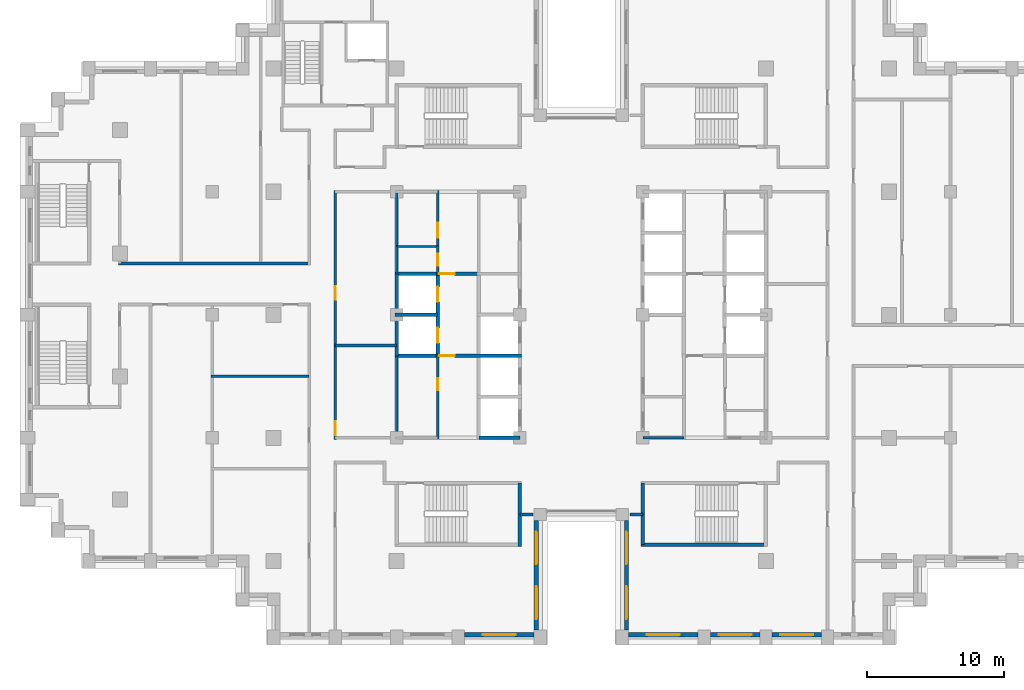
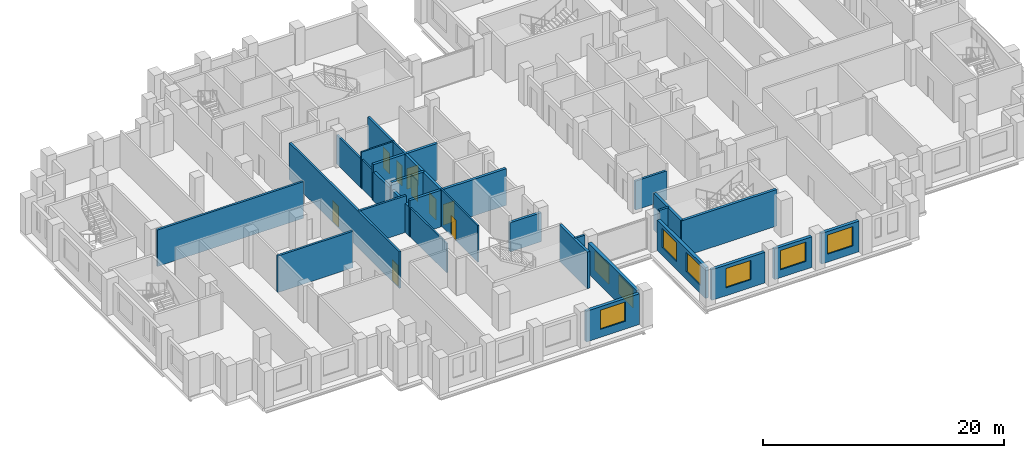
# One storey, part 7 of 16: 29 walls, 9 doors, 8 windows, 17 openings.
"""IFC4 building model written with IfcOpenShell, lengths in metres."""

from ifc_helpers import new_model, si_unit, direction, frame, frame_2d, origin, place, context, subcontext, project, spatial, rectangle, extrude, material, layer, layer_set, type_object, element, fill, save


model = new_model("IFC4")

# Units and contexts
model_context = context("Model", 3, precision=1e-05, world=origin(), true_north=direction((0.0, 1.0)))
body_context = subcontext(model_context, "Body", "Model", "MODEL_VIEW")
ifc_project = project(units=[si_unit("LENGTHUNIT", "METRE"), si_unit("AREAUNIT", "SQUARE_METRE"), si_unit("VOLUMEUNIT", "CUBIC_METRE"), si_unit("PLANEANGLEUNIT", "RADIAN"), si_unit("MASSUNIT", "GRAM", prefix="KILO")], contexts=[model_context])

# Site, building, storey
site_placement = place(None, origin())
site = spatial("IfcSite", under=ifc_project, at=site_placement, CompositionType="ELEMENT")
building_placement = place(site_placement, origin())
building = spatial("IfcBuilding", under=site, at=building_placement, Name="Corbelhall Arena Tower", CompositionType="ELEMENT")
storey_placement = place(building_placement, frame((0.0, 0.0, 154.0)))
storey = spatial("IfcBuildingStorey", under=building, at=storey_placement, Name="L30", CompositionType="ELEMENT", Elevation=154.0)

# Wall, opening, window
ifc_material_1 = material(Name="Precast concrete C40/50 with granite facing", Category="masonry")
ifc_layer_1 = layer(ifc_material_1, 0.300048828125)
ifc_layer_set_1 = layer_set([ifc_layer_1], Name="EV-IW1 Infill panel 300")
wall_type_1 = type_object("IfcWallType", Name="EV-IW1 Infill panel 300", PredefinedType="SOLIDWALL", material=ifc_layer_set_1)
wall_1_placement = place(storey_placement, frame((-8.550048828125, -23.39990234375, 0.0), z_axis=(0.0, 0.0, 1.0), x_axis=(1.0, 0.0, 0.0)))
wall_1 = element("IfcWall", 1, at=wall_1_placement, inside=storey, type_object=wall_type_1, Name="Infill panel IW1", PredefinedType="SOLIDWALL", context=body_context, shape_type="SweptSolid", body=[
    extrude(rectangle(XDim=5.10009765625, YDim=0.300048828125, at=frame_2d((2.550048828125, 0.0))), origin(), (0.0, 0.0, 1.0), 3.10009765625),
])
opening_1_placement = place(wall_1_placement, frame((1.35009765625, 0.0, 0.800048828125)))
opening_1 = element("IfcOpeningElement", 2, at=opening_1_placement, cuts=wall_1, Name="Opening WN1", PredefinedType="OPENING", context=body_context, shape_type="SweptSolid", body=[
    extrude(rectangle(XDim=2.39990234375, YDim=1.949951171875, at=frame_2d((1.199951171875, 0.97509765625))), frame((0.0, 0.14990234375, 0.0), z_axis=(0.0, -1.0, 0.0), x_axis=(1.0, 0.0, 0.0)), (0.0, 0.0, 1.0), 0.300048828125),
])
ifc_material_2 = material(Name="Aluminium black anodised", Category="aluminium")
window_type = type_object("IfcWindowType", Name="EV-WN1 Office window", PartitioningType="SINGLE_PANEL", PredefinedType="WINDOW", material=ifc_material_2)
window_1_placement = place(opening_1_placement, origin())
window_1 = element("IfcWindow", 3, at=window_1_placement, inside=storey, type_object=window_type, Name="Window WN1", OverallHeight=1.949951171875, OverallWidth=2.39990234375, PartitioningType="SINGLE_PANEL", PredefinedType="WINDOW", context=body_context, shape_type="SweptSolid", body=[
    extrude(rectangle(XDim=2.39990234375, YDim=1.949951171875, at=frame_2d((1.199951171875, 0.97509765625))), frame((0.0, 0.030029296875, 0.0), z_axis=(0.0, -1.0, 0.0), x_axis=(1.0, 0.0, 0.0)), (0.0, 0.0, 1.0), 0.06005859375),
])
fill(opening_1, window_1)

# Wall, openings, windows
wall_2_placement = place(storey_placement, frame((-3.300048828125, -23.050048828125, 0.0), z_axis=(0.0, 0.0, 1.0), x_axis=(0.0, 1.0, 0.0)))
wall_2 = element("IfcWall", 4, at=wall_2_placement, inside=storey, type_object=wall_type_1, Name="Infill panel IW1", PredefinedType="SOLIDWALL", context=body_context, shape_type="SweptSolid", body=[
    extrude(rectangle(XDim=8.0, YDim=0.300048828125, at=frame_2d((4.0, 0.0))), origin(), (0.0, 0.0, 1.0), 3.10009765625),
])
opening_2_placement = place(wall_2_placement, frame((0.800048828125, 0.0, 0.800048828125)))
opening_2 = element("IfcOpeningElement", 5, at=opening_2_placement, cuts=wall_2, Name="Opening WN1", PredefinedType="OPENING", context=body_context, shape_type="SweptSolid", body=[
    extrude(rectangle(XDim=2.39990234375, YDim=1.949951171875, at=frame_2d((1.199951171875, 0.97509765625))), frame((0.0, 0.14990234375, 0.0), z_axis=(0.0, -1.0, 0.0), x_axis=(1.0, 0.0, 0.0)), (0.0, 0.0, 1.0), 0.300048828125),
])
opening_3_placement = place(wall_2_placement, frame((4.800048828125, 0.0, 0.800048828125)))
opening_3 = element("IfcOpeningElement", 6, at=opening_3_placement, cuts=wall_2, Name="Opening WN1", PredefinedType="OPENING", context=body_context, shape_type="SweptSolid", body=[
    extrude(rectangle(XDim=2.39990234375, YDim=1.949951171875, at=frame_2d((1.199951171875, 0.97509765625))), frame((0.0, 0.14990234375, 0.0), z_axis=(0.0, -1.0, 0.0), x_axis=(1.0, 0.0, 0.0)), (0.0, 0.0, 1.0), 0.300048828125),
])
window_2_placement = place(opening_2_placement, origin())
window_2 = element("IfcWindow", 7, at=window_2_placement, inside=storey, type_object=window_type, Name="Window WN1", OverallHeight=1.949951171875, OverallWidth=2.39990234375, PartitioningType="SINGLE_PANEL", PredefinedType="WINDOW", context=body_context, shape_type="SweptSolid", body=[
    extrude(rectangle(XDim=2.39990234375, YDim=1.949951171875, at=frame_2d((1.199951171875, 0.97509765625))), frame((0.0, 0.030029296875, 0.0), z_axis=(0.0, -1.0, 0.0), x_axis=(1.0, 0.0, 0.0)), (0.0, 0.0, 1.0), 0.06005859375),
])
fill(opening_2, window_2)
window_3_placement = place(opening_3_placement, origin())
window_3 = element("IfcWindow", 8, at=window_3_placement, inside=storey, type_object=window_type, Name="Window WN1", OverallHeight=1.949951171875, OverallWidth=2.39990234375, PartitioningType="SINGLE_PANEL", PredefinedType="WINDOW", context=body_context, shape_type="SweptSolid", body=[
    extrude(rectangle(XDim=2.39990234375, YDim=1.949951171875, at=frame_2d((1.199951171875, 0.97509765625))), frame((0.0, 0.030029296875, 0.0), z_axis=(0.0, -1.0, 0.0), x_axis=(1.0, 0.0, 0.0)), (0.0, 0.0, 1.0), 0.06005859375),
])
fill(opening_3, window_3)

wall_3_placement = place(storey_placement, frame((3.300048828125, -15.050048828125, 0.0), z_axis=(0.0, 0.0, 1.0), x_axis=(0.0, -1.0, 0.0)))
wall_3 = element("IfcWall", 9, at=wall_3_placement, inside=storey, type_object=wall_type_1, Name="Infill panel IW1", PredefinedType="SOLIDWALL", context=body_context, shape_type="SweptSolid", body=[
    extrude(rectangle(XDim=8.0, YDim=0.300048828125, at=frame_2d((4.0, 0.0))), origin(), (0.0, 0.0, 1.0), 3.10009765625),
])
opening_4_placement = place(wall_3_placement, frame((0.800048828125, 0.0, 0.800048828125)))
opening_4 = element("IfcOpeningElement", 10, at=opening_4_placement, cuts=wall_3, Name="Opening WN1", PredefinedType="OPENING", context=body_context, shape_type="SweptSolid", body=[
    extrude(rectangle(XDim=2.39990234375, YDim=1.949951171875, at=frame_2d((1.199951171875, 0.97509765625))), frame((0.0, 0.14990234375, 0.0), z_axis=(0.0, -1.0, 0.0), x_axis=(1.0, 0.0, 0.0)), (0.0, 0.0, 1.0), 0.300048828125),
])
opening_5_placement = place(wall_3_placement, frame((4.800048828125, 0.0, 0.800048828125)))
opening_5 = element("IfcOpeningElement", 11, at=opening_5_placement, cuts=wall_3, Name="Opening WN1", PredefinedType="OPENING", context=body_context, shape_type="SweptSolid", body=[
    extrude(rectangle(XDim=2.39990234375, YDim=1.949951171875, at=frame_2d((1.199951171875, 0.97509765625))), frame((0.0, 0.14990234375, 0.0), z_axis=(0.0, -1.0, 0.0), x_axis=(1.0, 0.0, 0.0)), (0.0, 0.0, 1.0), 0.300048828125),
])
window_4_placement = place(opening_4_placement, origin())
window_4 = element("IfcWindow", 12, at=window_4_placement, inside=storey, type_object=window_type, Name="Window WN1", OverallHeight=1.949951171875, OverallWidth=2.39990234375, PartitioningType="SINGLE_PANEL", PredefinedType="WINDOW", context=body_context, shape_type="SweptSolid", body=[
    extrude(rectangle(XDim=2.39990234375, YDim=1.949951171875, at=frame_2d((1.199951171875, 0.97509765625))), frame((0.0, 0.030029296875, 0.0), z_axis=(0.0, -1.0, 0.0), x_axis=(1.0, 0.0, 0.0)), (0.0, 0.0, 1.0), 0.06005859375),
])
fill(opening_4, window_4)
window_5_placement = place(opening_5_placement, origin())
window_5 = element("IfcWindow", 13, at=window_5_placement, inside=storey, type_object=window_type, Name="Window WN1", OverallHeight=1.949951171875, OverallWidth=2.39990234375, PartitioningType="SINGLE_PANEL", PredefinedType="WINDOW", context=body_context, shape_type="SweptSolid", body=[
    extrude(rectangle(XDim=2.39990234375, YDim=1.949951171875, at=frame_2d((1.199951171875, 0.97509765625))), frame((0.0, 0.030029296875, 0.0), z_axis=(0.0, -1.0, 0.0), x_axis=(1.0, 0.0, 0.0)), (0.0, 0.0, 1.0), 0.06005859375),
])
fill(opening_5, window_5)

# Wall, opening, window
wall_4_placement = place(storey_placement, frame((3.449951171875, -23.39990234375, 0.0), z_axis=(0.0, 0.0, 1.0), x_axis=(1.0, 0.0, 0.0)))
wall_4 = element("IfcWall", 14, at=wall_4_placement, inside=storey, type_object=wall_type_1, Name="Infill panel IW1", PredefinedType="SOLIDWALL", context=body_context, shape_type="SweptSolid", body=[
    extrude(rectangle(XDim=5.10009765625, YDim=0.300048828125, at=frame_2d((2.550048828125, 0.0))), origin(), (0.0, 0.0, 1.0), 3.10009765625),
])
opening_6_placement = place(wall_4_placement, frame((1.35009765625, 0.0, 0.800048828125)))
opening_6 = element("IfcOpeningElement", 15, at=opening_6_placement, cuts=wall_4, Name="Opening WN1", PredefinedType="OPENING", context=body_context, shape_type="SweptSolid", body=[
    extrude(rectangle(XDim=2.39990234375, YDim=1.949951171875, at=frame_2d((1.199951171875, 0.97509765625))), frame((0.0, 0.14990234375, 0.0), z_axis=(0.0, -1.0, 0.0), x_axis=(1.0, 0.0, 0.0)), (0.0, 0.0, 1.0), 0.300048828125),
])
window_6_placement = place(opening_6_placement, origin())
window_6 = element("IfcWindow", 16, at=window_6_placement, inside=storey, type_object=window_type, Name="Window WN1", OverallHeight=1.949951171875, OverallWidth=2.39990234375, PartitioningType="SINGLE_PANEL", PredefinedType="WINDOW", context=body_context, shape_type="SweptSolid", body=[
    extrude(rectangle(XDim=2.39990234375, YDim=1.949951171875, at=frame_2d((1.199951171875, 0.97509765625))), frame((0.0, 0.030029296875, 0.0), z_axis=(0.0, -1.0, 0.0), x_axis=(1.0, 0.0, 0.0)), (0.0, 0.0, 1.0), 0.06005859375),
])
fill(opening_6, window_6)

wall_5_placement = place(storey_placement, frame((9.449951171875, -23.39990234375, 0.0), z_axis=(0.0, 0.0, 1.0), x_axis=(1.0, 0.0, 0.0)))
wall_5 = element("IfcWall", 17, at=wall_5_placement, inside=storey, type_object=wall_type_1, Name="Infill panel IW1", PredefinedType="SOLIDWALL", context=body_context, shape_type="SweptSolid", body=[
    extrude(rectangle(XDim=3.60009765625, YDim=0.300048828125, at=frame_2d((1.800048828125, 0.0))), origin(), (0.0, 0.0, 1.0), 3.10009765625),
])
opening_7_placement = place(wall_5_placement, frame((0.60009765625, 0.0, 0.800048828125)))
opening_7 = element("IfcOpeningElement", 18, at=opening_7_placement, cuts=wall_5, Name="Opening WN1", PredefinedType="OPENING", context=body_context, shape_type="SweptSolid", body=[
    extrude(rectangle(XDim=2.39990234375, YDim=1.949951171875, at=frame_2d((1.199951171875, 0.97509765625))), frame((0.0, 0.14990234375, 0.0), z_axis=(0.0, -1.0, 0.0), x_axis=(1.0, 0.0, 0.0)), (0.0, 0.0, 1.0), 0.300048828125),
])
window_7_placement = place(opening_7_placement, origin())
window_7 = element("IfcWindow", 19, at=window_7_placement, inside=storey, type_object=window_type, Name="Window WN1", OverallHeight=1.949951171875, OverallWidth=2.39990234375, PartitioningType="SINGLE_PANEL", PredefinedType="WINDOW", context=body_context, shape_type="SweptSolid", body=[
    extrude(rectangle(XDim=2.39990234375, YDim=1.949951171875, at=frame_2d((1.199951171875, 0.97509765625))), frame((0.0, 0.030029296875, 0.0), z_axis=(0.0, -1.0, 0.0), x_axis=(1.0, 0.0, 0.0)), (0.0, 0.0, 1.0), 0.06005859375),
])
fill(opening_7, window_7)

wall_6_placement = place(storey_placement, frame((13.949951171875, -23.39990234375, 0.0), z_axis=(0.0, 0.0, 1.0), x_axis=(1.0, 0.0, 0.0)))
wall_6 = element("IfcWall", 20, at=wall_6_placement, inside=storey, type_object=wall_type_1, Name="Infill panel IW1", PredefinedType="SOLIDWALL", context=body_context, shape_type="SweptSolid", body=[
    extrude(rectangle(XDim=3.60009765625, YDim=0.300048828125, at=frame_2d((1.800048828125, 0.0))), origin(), (0.0, 0.0, 1.0), 3.10009765625),
])
opening_8_placement = place(wall_6_placement, frame((0.60009765625, 0.0, 0.800048828125)))
opening_8 = element("IfcOpeningElement", 21, at=opening_8_placement, cuts=wall_6, Name="Opening WN1", PredefinedType="OPENING", context=body_context, shape_type="SweptSolid", body=[
    extrude(rectangle(XDim=2.39990234375, YDim=1.949951171875, at=frame_2d((1.199951171875, 0.97509765625))), frame((0.0, 0.14990234375, 0.0), z_axis=(0.0, -1.0, 0.0), x_axis=(1.0, 0.0, 0.0)), (0.0, 0.0, 1.0), 0.300048828125),
])
window_8_placement = place(opening_8_placement, origin())
window_8 = element("IfcWindow", 22, at=window_8_placement, inside=storey, type_object=window_type, Name="Window WN1", OverallHeight=1.949951171875, OverallWidth=2.39990234375, PartitioningType="SINGLE_PANEL", PredefinedType="WINDOW", context=body_context, shape_type="SweptSolid", body=[
    extrude(rectangle(XDim=2.39990234375, YDim=1.949951171875, at=frame_2d((1.199951171875, 0.97509765625))), frame((0.0, 0.030029296875, 0.0), z_axis=(0.0, -1.0, 0.0), x_axis=(1.0, 0.0, 0.0)), (0.0, 0.0, 1.0), 0.06005859375),
])
fill(opening_8, window_8)

# Walls
ifc_material_3 = material(Name="Gypsum board on steel stud, acoustic", Category="steel")
ifc_layer_2 = layer(ifc_material_3, 0.199951171875)
ifc_layer_set_2 = layer_set([ifc_layer_2], Name="IN-W-DM200")
wall_type_2 = type_object("IfcWallType", Name="IN-W-DM200", PredefinedType="PARTITIONING", material=ifc_layer_set_2)
wall_7_placement = place(storey_placement, frame((-33.85009765625, 3.75, 0.0), z_axis=(0.0, 0.0, 1.0), x_axis=(1.0, 0.0, 0.0)))
element("IfcWall", 23, at=wall_7_placement, inside=storey, type_object=wall_type_2, Name="Partition 002", PredefinedType="PARTITIONING", context=body_context, shape_type="SweptSolid", body=[
    extrude(rectangle(XDim=13.9501953125, YDim=0.199951171875, at=frame_2d((6.97509765625, 0.0))), origin(), (0.0, 0.0, 1.0), 3.699951171875),
])
wall_8_placement = place(storey_placement, frame((-27.10009765625, -4.5, 0.0), z_axis=(0.0, 0.0, 1.0), x_axis=(1.0, 0.0, 0.0)))
element("IfcWall", 24, at=wall_8_placement, inside=storey, type_object=wall_type_2, Name="Partition 010", PredefinedType="PARTITIONING", context=body_context, shape_type="SweptSolid", body=[
    extrude(rectangle(XDim=7.2001953125, YDim=0.199951171875, at=frame_2d((3.60009765625, 0.0))), origin(), (0.0, 0.0, 1.0), 3.699951171875),
])
wall_9_placement = place(storey_placement, frame((-18.0, -2.25, 0.0), z_axis=(0.0, 0.0, 1.0), x_axis=(1.0, 0.0, 0.0)))
element("IfcWall", 25, at=wall_9_placement, inside=storey, type_object=wall_type_2, Name="Partition 020", PredefinedType="PARTITIONING", context=body_context, shape_type="SweptSolid", body=[
    extrude(rectangle(XDim=4.5, YDim=0.199951171875, at=frame_2d((2.25, 0.0))), origin(), (0.0, 0.0, 1.0), 3.699951171875),
])

# Wall, openings, doors
wall_10_placement = place(storey_placement, frame((-18.0, 9.10009765625, 0.0), z_axis=(0.0, 0.0, 1.0), x_axis=(0.0, -1.0, 0.0)))
wall_10 = element("IfcWall", 26, at=wall_10_placement, inside=storey, type_object=wall_type_2, Name="Partition 021", PredefinedType="PARTITIONING", context=body_context, shape_type="SweptSolid", body=[
    extrude(rectangle(XDim=18.2001953125, YDim=0.199951171875, at=frame_2d((9.10009765625, 0.0))), origin(), (0.0, 0.0, 1.0), 3.699951171875),
])
opening_9_placement = place(wall_10_placement, frame((16.89990234375, 0.0, 0.0)))
opening_9 = element("IfcOpeningElement", 27, at=opening_9_placement, cuts=wall_10, Name="Opening 08023", PredefinedType="OPENING", context=body_context, shape_type="SweptSolid", body=[
    extrude(rectangle(XDim=1.0, YDim=2.10009765625, at=frame_2d((0.5, 1.050048828125))), frame((0.0, 0.10009765625, 0.0), z_axis=(0.0, -1.0, 0.0), x_axis=(1.0, 0.0, 0.0)), (0.0, 0.0, 1.0), 0.199951171875),
])
opening_10_placement = place(wall_10_placement, frame((7.0, 0.0, 0.0)))
opening_10 = element("IfcOpeningElement", 28, at=opening_10_placement, cuts=wall_10, Name="Opening 08024", PredefinedType="OPENING", context=body_context, shape_type="SweptSolid", body=[
    extrude(rectangle(XDim=1.0, YDim=2.10009765625, at=frame_2d((0.5, 1.050048828125))), frame((0.0, 0.10009765625, 0.0), z_axis=(0.0, -1.0, 0.0), x_axis=(1.0, 0.0, 0.0)), (0.0, 0.0, 1.0), 0.199951171875),
])
ifc_material_4 = material(Name="Steel door set", Category="steel")
door_type_1 = type_object("IfcDoorType", Name="IN-D-SW100", OperationType="NOTDEFINED", PredefinedType="DOOR", material=ifc_material_4)
door_1_placement = place(opening_9_placement, origin())
door_1 = element("IfcDoor", 29, at=door_1_placement, inside=storey, type_object=door_type_1, Name="Door 023", OperationType="SINGLE_SWING_RIGHT", OverallHeight=2.10009765625, OverallWidth=1.0, PredefinedType="DOOR", context=body_context, shape_type="SweptSolid", body=[
    extrude(rectangle(XDim=1.0, YDim=2.10009765625, at=frame_2d((0.5, 1.050048828125))), frame((0.0, 0.02490234375, 0.0), z_axis=(0.0, -1.0, 0.0), x_axis=(1.0, 0.0, 0.0)), (0.0, 0.0, 1.0), 0.050048828125),
])
fill(opening_9, door_1)
door_2_placement = place(opening_10_placement, origin())
door_2 = element("IfcDoor", 30, at=door_2_placement, inside=storey, type_object=door_type_1, Name="Door 024", OperationType="SINGLE_SWING_LEFT", OverallHeight=2.10009765625, OverallWidth=1.0, PredefinedType="DOOR", context=body_context, shape_type="SweptSolid", body=[
    extrude(rectangle(XDim=1.0, YDim=2.10009765625, at=frame_2d((0.5, 1.050048828125))), frame((0.0, 0.02490234375, 0.0), z_axis=(0.0, -1.0, 0.0), x_axis=(1.0, 0.0, 0.0)), (0.0, 0.0, 1.0), 0.050048828125),
])
fill(opening_10, door_2)

# Walls
for number, where, z_axis, x_axis, name in (
    (31, (-3.550048828125, -14.60009765625, 0.0), (0.0, 0.0, 1.0), (-1.0, 0.0, 0.0), "Partition 034"),
    (32, (4.5, -14.60009765625, 0.0), (0.0, 0.0, 1.0), (-1.0, 0.0, 0.0), "Partition 036"),
):
    element("IfcWall", number, at=place(storey_placement, frame(where, z_axis=z_axis, x_axis=x_axis)), inside=storey, type_object=wall_type_2, Name=name, PredefinedType="PARTITIONING", context=body_context, shape_type="SweptSolid", body=[
        extrude(rectangle(XDim=0.949951171875, YDim=0.199951171875, at=frame_2d((0.47509765625, 0.0))), origin(), (0.0, 0.0, 1.0), 3.699951171875),
    ])

# Wall, opening, door
ifc_material_5 = material(Name="Concrete block wall", Category="concrete")
ifc_layer_3 = layer(ifc_material_5, 0.199951171875)
ifc_layer_set_3 = layer_set([ifc_layer_3], Name="IN-W-RS200")
wall_type_3 = type_object("IfcWallType", Name="IN-W-RS200", PredefinedType="SOLIDWALL", material=ifc_layer_set_3)
wall_11_placement = place(storey_placement, frame((-10.5, 4.925048828125, 0.0), z_axis=(0.0, 0.0, 1.0), x_axis=(0.0, 1.0, 0.0)))
wall_11 = element("IfcWall", 33, at=wall_11_placement, inside=storey, type_object=wall_type_3, Name="Partition 066", PredefinedType="SOLIDWALL", context=body_context, shape_type="SweptSolid", body=[
    extrude(rectangle(XDim=4.175048828125, YDim=0.199951171875, at=frame_2d((2.08740234375, 0.0))), origin(), (0.0, 0.0, 1.0), 3.699951171875),
])
opening_11_placement = place(wall_11_placement, frame((0.699951171875, 0.0, 0.0)))
opening_11 = element("IfcOpeningElement", 34, at=opening_11_placement, cuts=wall_11, Name="Opening 08007", PredefinedType="OPENING", context=body_context, shape_type="SweptSolid", body=[
    extrude(rectangle(XDim=1.10009765625, YDim=2.10009765625, at=frame_2d((0.550048828125, 1.050048828125))), frame((0.0, 0.10009765625, 0.0), z_axis=(0.0, -1.0, 0.0), x_axis=(1.0, 0.0, 0.0)), (0.0, 0.0, 1.0), 0.199951171875),
])
door_type_2 = type_object("IfcDoorType", Name="IN-D-FD110", OperationType="NOTDEFINED", PredefinedType="DOOR", material=ifc_material_4)
door_3_placement = place(opening_11_placement, origin())
door_3 = element("IfcDoor", 35, at=door_3_placement, inside=storey, type_object=door_type_2, Name="Door 007", OperationType="SINGLE_SWING_RIGHT", OverallHeight=2.10009765625, OverallWidth=1.10009765625, PredefinedType="DOOR", context=body_context, shape_type="SweptSolid", body=[
    extrude(rectangle(XDim=1.10009765625, YDim=2.10009765625, at=frame_2d((0.550048828125, 1.050048828125))), frame((0.0, 0.02490234375, 0.0), z_axis=(0.0, -1.0, 0.0), x_axis=(1.0, 0.0, 0.0)), (0.0, 0.0, 1.0), 0.050048828125),
])
fill(opening_11, door_3)

# Walls
ifc_layer_4 = layer(ifc_material_5, 0.199951171875)
ifc_layer_set_4 = layer_set([ifc_layer_4], Name="IN-W-RS200 under beam 762 mm")
wall_type_4 = type_object("IfcWallType", Name="IN-W-RS200 under beam 762 mm", PredefinedType="SOLIDWALL", material=ifc_layer_set_4)
wall_12_placement = place(storey_placement, frame((-13.5, 5.0, 0.0), z_axis=(0.0, 0.0, 1.0), x_axis=(0.0, 1.0, 0.0)))
element("IfcWall", 36, at=wall_12_placement, inside=storey, type_object=wall_type_4, Name="Partition 065", PredefinedType="SOLIDWALL", context=body_context, shape_type="SweptSolid", body=[
    extrude(rectangle(XDim=4.10009765625, YDim=0.199951171875, at=frame_2d((2.050048828125, 0.0))), origin(), (0.0, 0.0, 1.0), 2.93798828125),
])
wall_13_placement = place(storey_placement, frame((7.5, -9.0, 0.0), z_axis=(0.0, 0.0, 1.0), x_axis=(-1.0, 0.0, 0.0)))
element("IfcWall", 37, at=wall_13_placement, inside=storey, type_object=wall_type_4, Name="Partition 073", PredefinedType="SOLIDWALL", context=body_context, shape_type="SweptSolid", body=[
    extrude(rectangle(XDim=3.0, YDim=0.199951171875, at=frame_2d((1.5, 0.0))), origin(), (0.0, 0.0, 1.0), 2.93798828125),
])
ifc_material_6 = material(Name="Concrete C40/50", Category="concrete")
ifc_layer_5 = layer(ifc_material_6, 0.25)
ifc_layer_set_5 = layer_set([ifc_layer_5], Name="IN-W-SH250")
wall_type_5 = type_object("IfcWallType", Name="IN-W-SH250", PredefinedType="SOLIDWALL", material=ifc_layer_set_5)
wall_14_placement = place(storey_placement, frame((-13.625, 0.0, 0.0), z_axis=(0.0, 0.0, 1.0), x_axis=(1.0, 0.0, 0.0)))
element("IfcWall", 38, at=wall_14_placement, inside=storey, type_object=wall_type_5, Name="Shaft wall 080", PredefinedType="SOLIDWALL", context=body_context, shape_type="SweptSolid", body=[
    extrude(rectangle(XDim=3.125, YDim=0.25, at=frame_2d((1.5625, 0.0))), origin(), (0.0, 0.0, 1.0), 3.699951171875),
])

# Wall, opening, door
wall_15_placement = place(storey_placement, frame((-13.625, 3.0, 0.0), z_axis=(0.0, 0.0, 1.0), x_axis=(1.0, 0.0, 0.0)))
wall_15 = element("IfcWall", 39, at=wall_15_placement, inside=storey, type_object=wall_type_5, Name="Shaft wall 081", PredefinedType="SOLIDWALL", context=body_context, shape_type="SweptSolid", body=[
    extrude(rectangle(XDim=6.125, YDim=0.25, at=frame_2d((3.0625, 0.0))), origin(), (0.0, 0.0, 1.0), 3.699951171875),
])
opening_12_placement = place(wall_15_placement, frame((3.25, 0.0, 0.0)))
opening_12 = element("IfcOpeningElement", 40, at=opening_12_placement, cuts=wall_15, Name="Opening 08004", PredefinedType="OPENING", context=body_context, shape_type="SweptSolid", body=[
    extrude(rectangle(XDim=1.10009765625, YDim=2.10009765625, at=frame_2d((0.550048828125, 1.050048828125))), frame((0.0, 0.125, 0.0), z_axis=(0.0, -1.0, 0.0), x_axis=(1.0, 0.0, 0.0)), (0.0, 0.0, 1.0), 0.25),
])
door_4_placement = place(opening_12_placement, origin())
door_4 = element("IfcDoor", 41, at=door_4_placement, inside=storey, type_object=door_type_2, Name="Door 004", OperationType="SINGLE_SWING_LEFT", OverallHeight=2.10009765625, OverallWidth=1.10009765625, PredefinedType="DOOR", context=body_context, shape_type="SweptSolid", body=[
    extrude(rectangle(XDim=1.10009765625, YDim=2.10009765625, at=frame_2d((0.550048828125, 1.050048828125))), frame((0.0, 0.02490234375, 0.0), z_axis=(0.0, -1.0, 0.0), x_axis=(1.0, 0.0, 0.0)), (0.0, 0.0, 1.0), 0.050048828125),
])
fill(opening_12, door_4)

wall_16_placement = place(storey_placement, frame((-13.625, -3.0, 0.0), z_axis=(0.0, 0.0, 1.0), x_axis=(1.0, 0.0, 0.0)))
wall_16 = element("IfcWall", 42, at=wall_16_placement, inside=storey, type_object=wall_type_5, Name="Shaft wall 083", PredefinedType="SOLIDWALL", context=body_context, shape_type="SweptSolid", body=[
    extrude(rectangle(XDim=9.25, YDim=0.25, at=frame_2d((4.625, 0.0))), origin(), (0.0, 0.0, 1.0), 3.699951171875),
])
opening_13_placement = place(wall_16_placement, frame((3.25, 0.0, 0.0)))
opening_13 = element("IfcOpeningElement", 43, at=opening_13_placement, cuts=wall_16, Name="Opening 08003", PredefinedType="OPENING", context=body_context, shape_type="SweptSolid", body=[
    extrude(rectangle(XDim=1.10009765625, YDim=2.10009765625, at=frame_2d((0.550048828125, 1.050048828125))), frame((0.0, 0.125, 0.0), z_axis=(0.0, -1.0, 0.0), x_axis=(1.0, 0.0, 0.0)), (0.0, 0.0, 1.0), 0.25),
])
door_5_placement = place(opening_13_placement, origin())
door_5 = element("IfcDoor", 44, at=door_5_placement, inside=storey, type_object=door_type_2, Name="Door 003", OperationType="SINGLE_SWING_RIGHT", OverallHeight=2.10009765625, OverallWidth=1.10009765625, PredefinedType="DOOR", context=body_context, shape_type="SweptSolid", body=[
    extrude(rectangle(XDim=1.10009765625, YDim=2.10009765625, at=frame_2d((0.550048828125, 1.050048828125))), frame((0.0, 0.02490234375, 0.0), z_axis=(0.0, -1.0, 0.0), x_axis=(1.0, 0.0, 0.0)), (0.0, 0.0, 1.0), 0.050048828125),
])
fill(opening_13, door_5)

# Wall, openings, doors
wall_17_placement = place(storey_placement, frame((-10.5, -3.125, 0.0), z_axis=(0.0, 0.0, 1.0), x_axis=(0.0, 1.0, 0.0)))
wall_17 = element("IfcWall", 45, at=wall_17_placement, inside=storey, type_object=wall_type_5, Name="Shaft wall 084", PredefinedType="SOLIDWALL", context=body_context, shape_type="SweptSolid", body=[
    extrude(rectangle(XDim=6.25, YDim=0.25, at=frame_2d((3.125, 0.0))), origin(), (0.0, 0.0, 1.0), 3.699951171875),
])
opening_14_placement = place(wall_17_placement, frame((1.074951171875, 0.0, 0.0)))
opening_14 = element("IfcOpeningElement", 46, at=opening_14_placement, cuts=wall_17, Name="Opening LD", PredefinedType="OPENING", context=body_context, shape_type="SweptSolid", body=[
    extrude(rectangle(XDim=1.10009765625, YDim=2.10009765625, at=frame_2d((0.550048828125, 1.050048828125))), frame((0.0, 0.125, 0.0), z_axis=(0.0, -1.0, 0.0), x_axis=(1.0, 0.0, 0.0)), (0.0, 0.0, 1.0), 0.25),
])
opening_15_placement = place(wall_17_placement, frame((4.074951171875, 0.0, 0.0)))
opening_15 = element("IfcOpeningElement", 47, at=opening_15_placement, cuts=wall_17, Name="Opening LD", PredefinedType="OPENING", context=body_context, shape_type="SweptSolid", body=[
    extrude(rectangle(XDim=1.10009765625, YDim=2.10009765625, at=frame_2d((0.550048828125, 1.050048828125))), frame((0.0, 0.125, 0.0), z_axis=(0.0, -1.0, 0.0), x_axis=(1.0, 0.0, 0.0)), (0.0, 0.0, 1.0), 0.25),
])
door_type_3 = type_object("IfcDoorType", Name="IN-D-LD110", OperationType="NOTDEFINED", PredefinedType="DOOR", material=ifc_material_4)
door_6_placement = place(opening_14_placement, origin())
door_6 = element("IfcDoor", 48, at=door_6_placement, inside=storey, type_object=door_type_3, Name="Landing door W3", OperationType="SLIDING_TO_LEFT", OverallHeight=2.10009765625, OverallWidth=1.10009765625, PredefinedType="DOOR", context=body_context, shape_type="SweptSolid", body=[
    extrude(rectangle(XDim=1.10009765625, YDim=2.10009765625, at=frame_2d((0.550048828125, 1.050048828125))), frame((0.0, 0.02490234375, 0.0), z_axis=(0.0, -1.0, 0.0), x_axis=(1.0, 0.0, 0.0)), (0.0, 0.0, 1.0), 0.050048828125),
])
fill(opening_14, door_6)
door_7_placement = place(opening_15_placement, origin())
door_7 = element("IfcDoor", 49, at=door_7_placement, inside=storey, type_object=door_type_3, Name="Landing door W4", OperationType="SLIDING_TO_LEFT", OverallHeight=2.10009765625, OverallWidth=1.10009765625, PredefinedType="DOOR", context=body_context, shape_type="SweptSolid", body=[
    extrude(rectangle(XDim=1.10009765625, YDim=2.10009765625, at=frame_2d((0.550048828125, 1.050048828125))), frame((0.0, 0.02490234375, 0.0), z_axis=(0.0, -1.0, 0.0), x_axis=(1.0, 0.0, 0.0)), (0.0, 0.0, 1.0), 0.050048828125),
])
fill(opening_15, door_7)

# Walls
ifc_layer_6 = layer(ifc_material_6, 0.25)
ifc_layer_set_6 = layer_set([ifc_layer_6], Name="IN-W-SH250 under beam 762 mm")
wall_type_6 = type_object("IfcWallType", Name="IN-W-SH250 under beam 762 mm", PredefinedType="SOLIDWALL", material=ifc_layer_set_6)
wall_18_placement = place(storey_placement, frame((-13.5, -3.0, 0.0), z_axis=(0.0, 0.0, 1.0), x_axis=(0.0, 1.0, 0.0)))
element("IfcWall", 50, at=wall_18_placement, inside=storey, type_object=wall_type_6, Name="Shaft wall 082", PredefinedType="SOLIDWALL", context=body_context, shape_type="SweptSolid", body=[
    extrude(rectangle(XDim=6.0, YDim=0.25, at=frame_2d((3.0, 0.0))), origin(), (0.0, 0.0, 1.0), 2.93798828125),
])
wall_19_placement = place(storey_placement, frame((-4.5, -9.0, 0.0), z_axis=(0.0, 0.0, 1.0), x_axis=(-1.0, 0.0, 0.0)))
element("IfcWall", 51, at=wall_19_placement, inside=storey, type_object=wall_type_6, Name="Shaft wall 088", PredefinedType="SOLIDWALL", context=body_context, shape_type="SweptSolid", body=[
    extrude(rectangle(XDim=3.0, YDim=0.25, at=frame_2d((1.5, 0.0))), origin(), (0.0, 0.0, 1.0), 2.93798828125),
])
ifc_layer_7 = layer(ifc_material_6, 0.25)
ifc_layer_set_7 = layer_set([ifc_layer_7], Name="IN-W-ST250")
wall_type_7 = type_object("IfcWallType", Name="IN-W-ST250", PredefinedType="SOLIDWALL", material=ifc_layer_set_7)
wall_20_placement = place(storey_placement, frame((-4.5, -12.300048828125, 0.0), z_axis=(0.0, 0.0, 1.0), x_axis=(0.0, -1.0, 0.0)))
element("IfcWall", 52, at=wall_20_placement, inside=storey, type_object=wall_type_7, Name="Shaft wall 112", PredefinedType="SOLIDWALL", context=body_context, shape_type="SweptSolid", body=[
    extrude(rectangle(XDim=4.625, YDim=0.25, at=frame_2d((2.3125, 0.0))), origin(), (0.0, 0.0, 1.0), 3.699951171875),
])
wall_21_placement = place(storey_placement, frame((4.5, -16.800048828125, 0.0), z_axis=(0.0, 0.0, 1.0), x_axis=(0.0, 1.0, 0.0)))
element("IfcWall", 53, at=wall_21_placement, inside=storey, type_object=wall_type_7, Name="Shaft wall 117", PredefinedType="SOLIDWALL", context=body_context, shape_type="SweptSolid", body=[
    extrude(rectangle(XDim=4.5, YDim=0.25, at=frame_2d((2.25, 0.0))), origin(), (0.0, 0.0, 1.0), 3.699951171875),
])
wall_22_placement = place(storey_placement, frame((13.5, -16.800048828125, 0.0), z_axis=(0.0, 0.0, 1.0), x_axis=(-1.0, 0.0, 0.0)))
element("IfcWall", 54, at=wall_22_placement, inside=storey, type_object=wall_type_7, Name="Shaft wall 119", PredefinedType="SOLIDWALL", context=body_context, shape_type="SweptSolid", body=[
    extrude(rectangle(XDim=9.125, YDim=0.25, at=frame_2d((4.5625, 0.0))), origin(), (0.0, 0.0, 1.0), 3.699951171875),
])
ifc_material_7 = material(Name="Gypsum board on steel stud, moisture resistant", Category="steel")
ifc_layer_8 = layer(ifc_material_7, 0.14990234375)
ifc_layer_set_8 = layer_set([ifc_layer_8], Name="IN-W-WC150")
wall_type_8 = type_object("IfcWallType", Name="IN-W-WC150", PredefinedType="PARTITIONING", material=ifc_layer_set_8)
wall_23_placement = place(storey_placement, frame((-13.60009765625, 5.0, 0.0), z_axis=(0.0, 0.0, 1.0), x_axis=(1.0, 0.0, 0.0)))
element("IfcWall", 55, at=wall_23_placement, inside=storey, type_object=wall_type_8, Name="Partition 129", PredefinedType="PARTITIONING", context=body_context, shape_type="SweptSolid", body=[
    extrude(rectangle(XDim=3.10009765625, YDim=0.14990234375, at=frame_2d((1.550048828125, 0.0))), origin(), (0.0, 0.0, 1.0), 3.699951171875),
])

# Wall, opening, door
wall_24_placement = place(storey_placement, frame((-10.5, -9.074951171875, 0.0), z_axis=(0.0, 0.0, 1.0), x_axis=(0.0, 1.0, 0.0)))
wall_24 = element("IfcWall", 56, at=wall_24_placement, inside=storey, type_object=wall_type_8, Name="Partition 132", PredefinedType="PARTITIONING", context=body_context, shape_type="SweptSolid", body=[
    extrude(rectangle(XDim=6.199951171875, YDim=0.14990234375, at=frame_2d((3.10009765625, 0.0))), origin(), (0.0, 0.0, 1.0), 3.699951171875),
])
opening_16_placement = place(wall_24_placement, frame((3.550048828125, 0.0, 0.0)))
opening_16 = element("IfcOpeningElement", 57, at=opening_16_placement, cuts=wall_24, Name="Opening 08005", PredefinedType="OPENING", context=body_context, shape_type="SweptSolid", body=[
    extrude(rectangle(XDim=0.89990234375, YDim=2.10009765625, at=frame_2d((0.449951171875, 1.050048828125))), frame((0.0, 0.074951171875, 0.0), z_axis=(0.0, -1.0, 0.0), x_axis=(1.0, 0.0, 0.0)), (0.0, 0.0, 1.0), 0.14990234375),
])
ifc_material_8 = material(Name="Timber door set", Category="wood")
door_type_4 = type_object("IfcDoorType", Name="IN-D-SW90", OperationType="NOTDEFINED", PredefinedType="DOOR", material=ifc_material_8)
door_8_placement = place(opening_16_placement, origin())
door_8 = element("IfcDoor", 58, at=door_8_placement, inside=storey, type_object=door_type_4, Name="Door 005", OperationType="SINGLE_SWING_RIGHT", OverallHeight=2.10009765625, OverallWidth=0.89990234375, PredefinedType="DOOR", context=body_context, shape_type="SweptSolid", body=[
    extrude(rectangle(XDim=0.89990234375, YDim=2.10009765625, at=frame_2d((0.449951171875, 1.050048828125))), frame((0.0, 0.02490234375, 0.0), z_axis=(0.0, -1.0, 0.0), x_axis=(1.0, 0.0, 0.0)), (0.0, 0.0, 1.0), 0.050048828125),
])
fill(opening_16, door_8)

wall_25_placement = place(storey_placement, frame((-10.5, 2.875, 0.0), z_axis=(0.0, 0.0, 1.0), x_axis=(0.0, 1.0, 0.0)))
wall_25 = element("IfcWall", 59, at=wall_25_placement, inside=storey, type_object=wall_type_8, Name="Partition 134", PredefinedType="PARTITIONING", context=body_context, shape_type="SweptSolid", body=[
    extrude(rectangle(XDim=2.199951171875, YDim=0.14990234375, at=frame_2d((1.10009765625, 0.0))), origin(), (0.0, 0.0, 1.0), 3.699951171875),
])
opening_17_placement = place(wall_25_placement, frame((0.699951171875, 0.0, 0.0)))
opening_17 = element("IfcOpeningElement", 60, at=opening_17_placement, cuts=wall_25, Name="Opening 08006", PredefinedType="OPENING", context=body_context, shape_type="SweptSolid", body=[
    extrude(rectangle(XDim=0.89990234375, YDim=2.10009765625, at=frame_2d((0.449951171875, 1.050048828125))), frame((0.0, 0.074951171875, 0.0), z_axis=(0.0, -1.0, 0.0), x_axis=(1.0, 0.0, 0.0)), (0.0, 0.0, 1.0), 0.14990234375),
])
door_9_placement = place(opening_17_placement, origin())
door_9 = element("IfcDoor", 61, at=door_9_placement, inside=storey, type_object=door_type_4, Name="Door 006", OperationType="SINGLE_SWING_LEFT", OverallHeight=2.10009765625, OverallWidth=0.89990234375, PredefinedType="DOOR", context=body_context, shape_type="SweptSolid", body=[
    extrude(rectangle(XDim=0.89990234375, YDim=2.10009765625, at=frame_2d((0.449951171875, 1.050048828125))), frame((0.0, 0.02490234375, 0.0), z_axis=(0.0, -1.0, 0.0), x_axis=(1.0, 0.0, 0.0)), (0.0, 0.0, 1.0), 0.050048828125),
])
fill(opening_17, door_9)

# Walls
ifc_layer_9 = layer(ifc_material_7, 0.14990234375)
ifc_layer_set_9 = layer_set([ifc_layer_9], Name="IN-W-WC150 under beam 762 mm")
wall_type_9 = type_object("IfcWallType", Name="IN-W-WC150 under beam 762 mm", PredefinedType="PARTITIONING", material=ifc_layer_set_9)
wall_26_placement = place(storey_placement, frame((-13.5, -9.10009765625, 0.0), z_axis=(0.0, 0.0, 1.0), x_axis=(0.0, 1.0, 0.0)))
element("IfcWall", 62, at=wall_26_placement, inside=storey, type_object=wall_type_9, Name="Partition 130", PredefinedType="PARTITIONING", context=body_context, shape_type="SweptSolid", body=[
    extrude(rectangle(XDim=6.10009765625, YDim=0.14990234375, at=frame_2d((3.050048828125, 0.0))), origin(), (0.0, 0.0, 1.0), 2.93798828125),
])
wall_27_placement = place(storey_placement, frame((-13.5, 3.0, 0.0), z_axis=(0.0, 0.0, 1.0), x_axis=(0.0, 1.0, 0.0)))
element("IfcWall", 63, at=wall_27_placement, inside=storey, type_object=wall_type_9, Name="Partition 131", PredefinedType="PARTITIONING", context=body_context, shape_type="SweptSolid", body=[
    extrude(rectangle(XDim=2.0, YDim=0.14990234375, at=frame_2d((1.0, 0.0))), origin(), (0.0, 0.0, 1.0), 2.93798828125),
])

save(model, "model.ifc")
